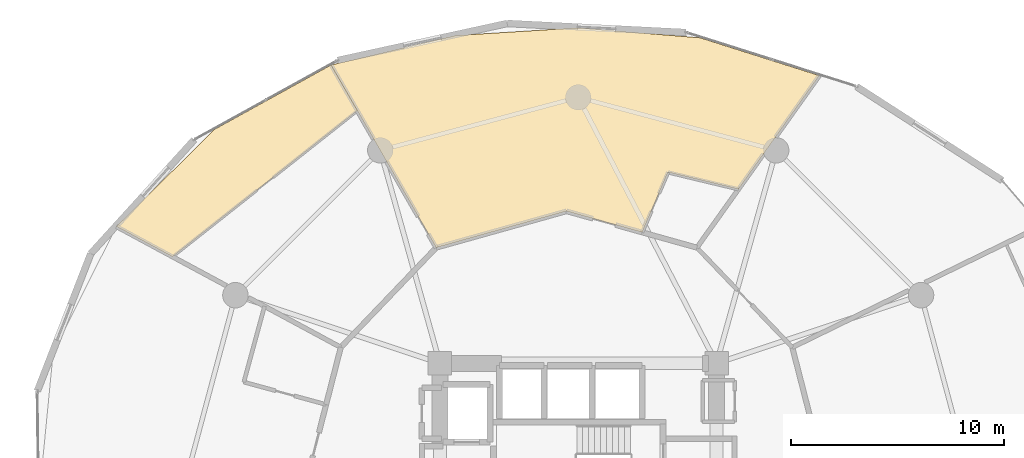
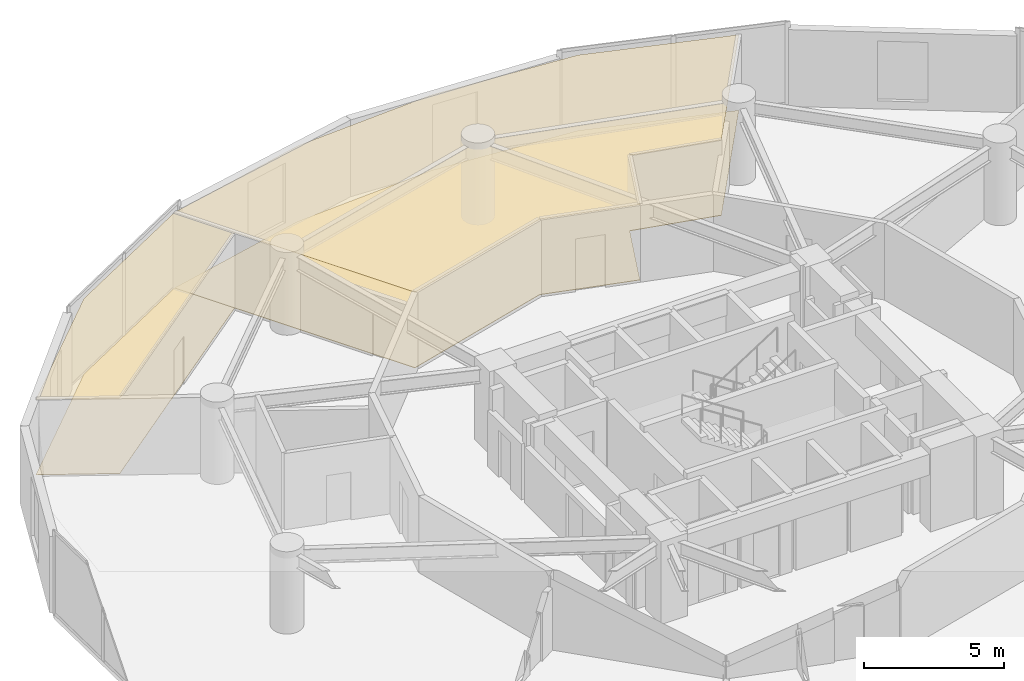
# One storey, part 23 of 23: 4 coverings.
"""IFC4 building model written with IfcOpenShell, lengths in metres."""

import ifcopenshell
import ifcopenshell.guid

model = None  # the IFC model being written
_history = None  # IfcOwnerHistory: only IFC2X3 demands one
_inside = {}  # id of a spatial element -> (the spatial element, [elements in it])
_under = {}  # id of a project, library or spatial element -> (it, [spatial elements below it])
_declared = {}  # id of a project -> (the project, [libraries it declares])
_typed = {}  # id of a type object -> (the type object, [elements of that type])
_made_of = {}  # id of a material, layer set ... -> (it, [elements and type objects made of it])


def new_model(schema):
    """Start an empty IFC model of exactly this schema.

    Asked for "IFC4X3", IfcOpenShell would pick the latest addendum, in which some entities
    have other attributes; the version numbers below select the first issue.
    IFC2X3 requires an IfcOwnerHistory on every rooted entity: one is made here for all.
    """
    global model, _history
    if schema == "IFC4X3":
        model = ifcopenshell.file(schema_version=(4, 3, 0, 0))
    else:
        model = ifcopenshell.file(schema=schema)
    _inside.clear()
    _under.clear()
    _declared.clear()
    _typed.clear()
    _made_of.clear()
    _history = None
    if model.schema == "IFC2X3":
        org = make("IfcOrganization", Name="unknown")
        user = make(
            "IfcPersonAndOrganization",
            ThePerson=make("IfcPerson", FamilyName="unknown"),
            TheOrganization=org,
        )
        app = make(
            "IfcApplication",
            ApplicationDeveloper=org,
            Version="unknown",
            ApplicationFullName="unknown",
            ApplicationIdentifier="unknown",
        )
        _history = make(
            "IfcOwnerHistory",
            OwningUser=user,
            OwningApplication=app,
            ChangeAction="ADDED",
            CreationDate=0,
        )
    return model


def make(cls, **values):
    """One entity of the class cls with the attributes given. An attribute that is None is left unset."""
    return model.create_entity(
        cls, **{name: value for name, value in values.items() if value is not None}
    )


def rooted(cls, **values):
    """An entity with a GlobalId (a new one), such as an element, a storey or a relation."""
    return make(cls, GlobalId=ifcopenshell.guid.new(), OwnerHistory=_history, **values)


def si_unit(unit_type, name, prefix=None):
    """IfcSIUnit, for example si_unit("LENGTHUNIT", "METRE", prefix="MILLI")."""
    return make("IfcSIUnit", UnitType=unit_type, Prefix=prefix, Name=name)


def assignment(units):
    """IfcUnitAssignment: the units of a project."""
    return None if units is None else make("IfcUnitAssignment", Units=units)


def point(xyz):
    """IfcCartesianPoint."""
    return None if xyz is None else make("IfcCartesianPoint", Coordinates=xyz)


def direction(xyz):
    """IfcDirection."""
    return None if xyz is None else make("IfcDirection", DirectionRatios=xyz)


def frame(location, z_axis=None, x_axis=None):
    """IfcAxis2Placement3D, a coordinate frame: its origin and axes. An axis left out is left unset."""
    return make(
        "IfcAxis2Placement3D",
        Location=point(location),
        Axis=direction(z_axis),
        RefDirection=direction(x_axis),
    )


def origin():
    """The frame at (0, 0, 0) with its axes left unset."""
    return frame((0.0, 0.0, 0.0))


def place(relative_to, where):
    """IfcLocalPlacement: puts the frame where relative to a parent placement (None: the world)."""
    return make(
        "IfcLocalPlacement", PlacementRelTo=relative_to, RelativePlacement=where
    )


def context(
    kind, dimensions, precision=None, world=None, true_north=None, identifier=None
):
    """IfcGeometricRepresentationContext, for example the 3D "Model" context."""
    return make(
        "IfcGeometricRepresentationContext",
        ContextIdentifier=identifier,
        ContextType=kind,
        CoordinateSpaceDimension=dimensions,
        Precision=precision,
        WorldCoordinateSystem=world,
        TrueNorth=true_north,
    )


def subcontext(parent, identifier, kind, view, scale=None):
    """IfcGeometricRepresentationSubContext, for example "Body" below "Model"."""
    return make(
        "IfcGeometricRepresentationSubContext",
        ContextIdentifier=identifier,
        ContextType=kind,
        ParentContext=parent,
        TargetScale=scale,
        TargetView=view,
    )


def project(units=None, contexts=None):
    """IfcProject with its units and contexts."""
    return rooted(
        "IfcProject",
        Name="project",
        RepresentationContexts=contexts,
        UnitsInContext=assignment(units),
    )


def spatial(cls, under=None, at=None, **own):
    """A site, building, storey or space (cls), placed at a placement, below another one or the project."""
    s = rooted(cls, ObjectPlacement=at, **own)
    if under is not None:
        _under.setdefault(under.id(), (under, []))[1].append(s)
    return s


def polyline(points):
    """IfcPolyline through the points."""
    return make("IfcPolyline", Points=[point(p) for p in points])


def outline(outer, holes=None, kind="AREA"):
    """IfcArbitraryClosedProfileDef: a profile drawn as a closed curve; with holes, ...WithVoids."""
    if holes is None:
        return make("IfcArbitraryClosedProfileDef", ProfileType=kind, OuterCurve=outer)
    return make(
        "IfcArbitraryProfileDefWithVoids",
        ProfileType=kind,
        OuterCurve=outer,
        InnerCurves=holes,
    )


def extrude(swept, where, along, depth):
    """IfcExtrudedAreaSolid: the profile swept, set in the frame where, extruded along a direction by depth."""
    return make(
        "IfcExtrudedAreaSolid",
        SweptArea=swept,
        Position=where,
        ExtrudedDirection=direction(along),
        Depth=depth,
    )


def shape(context_of_items, identifier, shape_type, items):
    """IfcShapeRepresentation: the items that make up one representation, for example the "Body"."""
    return make(
        "IfcShapeRepresentation",
        ContextOfItems=context_of_items,
        RepresentationIdentifier=identifier,
        RepresentationType=shape_type,
        Items=items,
    )


def material(Name=None, Category=None):
    """IfcMaterial."""
    return make("IfcMaterial", Name=Name, Category=Category)


def layer(
    of_material, thickness, ventilated=None, Name=None, Category=None, Priority=None
):
    """IfcMaterialLayer: one layer of a wall or slab, of a material (None: an air gap)."""
    return make(
        "IfcMaterialLayer",
        Material=of_material,
        LayerThickness=thickness,
        IsVentilated=ventilated,
        Name=Name,
        Category=Category,
        Priority=Priority,
    )


def layer_set(layers, Name=None):
    """IfcMaterialLayerSet."""
    return make("IfcMaterialLayerSet", MaterialLayers=layers, LayerSetName=Name)


def made_of(thing, what):
    """Note that an element or type object is made of a material, layer set ...; save() writes the relation."""
    if what is not None:
        _made_of.setdefault(what.id(), (what, []))[1].append(thing)
    return thing


def type_object(cls, material=None, **own):
    """A type object (cls), such as IfcWallType, which elements share."""
    return made_of(rooted(cls, **own), material)


def element(
    cls,
    number,
    at=None,
    inside=None,
    cuts=None,
    type_object=None,
    material=None,
    context=None,
    identifier="Body",
    shape_type=None,
    held_by="IfcProductDefinitionShape",
    body=None,
    shapes=None,
    **own,
):
    """One element of the class cls, such as IfcWall. Its Tag is "e" and its number.

    at: its placement. inside: the storey or other place that contains it. cuts: it is an
    opening in that element (IfcRelVoidsElement). A single representation is given by context,
    identifier, shape_type and body (its items); several are given by shapes. held_by: the class
    of the entity that holds the representations. save() writes the other relations.
    """
    e = rooted(cls, Tag="e%d" % number, ObjectPlacement=at, **own)
    if body is not None:
        shapes = [shape(context, identifier, shape_type, body)]
    if shapes is not None:
        e.Representation = make(held_by, Representations=shapes)
    if inside is not None:
        _inside.setdefault(inside.id(), (inside, []))[1].append(e)
    if cuts is not None:
        rooted(
            "IfcRelVoidsElement", RelatingBuildingElement=cuts, RelatedOpeningElement=e
        )
    if type_object is not None:
        _typed.setdefault(type_object.id(), (type_object, []))[1].append(e)
    return made_of(e, material)


def aggregate(whole, parts):
    """IfcRelAggregates: a whole, such as a stair, and the parts it consists of."""
    return rooted("IfcRelAggregates", RelatingObject=whole, RelatedObjects=parts)


def save(model, path):
    """Write the relations noted so far, then the file.

    IfcRelAggregates (storeys below a building ...), IfcRelContainedInSpatialStructure (elements
    in a storey), IfcRelDefinesByType, IfcRelAssociatesMaterial and IfcRelDeclares: one each for
    every whole, place, type object, material and project.
    """
    for whole, parts in _under.values():
        aggregate(whole, parts)
    for where, things in _inside.values():
        rooted(
            "IfcRelContainedInSpatialStructure",
            RelatedElements=things,
            RelatingStructure=where,
        )
    for kind, things in _typed.values():
        rooted("IfcRelDefinesByType", RelatedObjects=things, RelatingType=kind)
    for what, things in _made_of.values():
        rooted("IfcRelAssociatesMaterial", RelatedObjects=things, RelatingMaterial=what)
    for by, libraries in _declared.values():
        rooted("IfcRelDeclares", RelatingContext=by, RelatedDefinitions=libraries)
    model.write(path)


model = new_model("IFC4")

# Units and contexts
model_context = context("Model", 3, precision=1e-05, world=origin(), true_north=direction((0.0, 1.0)))
body_context = subcontext(model_context, "Body", "Model", "MODEL_VIEW")
ifc_project = project(units=[si_unit("LENGTHUNIT", "METRE"), si_unit("AREAUNIT", "SQUARE_METRE"), si_unit("VOLUMEUNIT", "CUBIC_METRE"), si_unit("PLANEANGLEUNIT", "RADIAN"), si_unit("MASSUNIT", "GRAM", prefix="KILO")], contexts=[model_context])

# Site, building, storey
site_placement = place(None, origin())
site = spatial("IfcSite", under=ifc_project, at=site_placement, CompositionType="ELEMENT")
building_placement = place(site_placement, origin())
building = spatial("IfcBuilding", under=site, at=building_placement, Name="Solvirekh Grand Hotel", CompositionType="ELEMENT")
storey_placement = place(building_placement, frame((0.0, 0.0, 46.39990234375)))
storey = spatial("IfcBuildingStorey", under=building, at=storey_placement, Name="L10", CompositionType="ELEMENT", Elevation=46.39990234375)

# Coverings
ifc_material_1 = material(Name="Acoustic Mineral Ceiling Tile")
ifc_layer_1 = layer(ifc_material_1, 0.02490234375)
ifc_layer_set_1 = layer_set([ifc_layer_1], Name="Acoustic Mineral Ceiling Tile")
covering_type_1 = type_object("IfcCoveringType", Name="Cov_Ceiling_Acoustic", PredefinedType="CEILING", material=ifc_layer_set_1)
covering_1_placement = place(storey_placement, frame((0.0, 0.0, 3.2900390625)))
element("IfcCovering", 1, at=covering_1_placement, inside=storey, type_object=covering_type_1, Name="L10 Diplomatic Suite 1201 Living Room acoustic ceiling", PredefinedType="CEILING", context=body_context, shape_type="SweptSolid", body=[
    extrude(outline(polyline([(4.216064453125, 15.080078125), (7.531005859375, 14.283935546875), (11.327880859375, 19.62109375), (5.73291015625, 21.39501953125), (0.0, 21.864990234375), (-5.761962890625, 21.50390625), (-11.614990234375, 20.117919921875), (-6.675048828125, 11.534912109375), (-0.550048828125, 13.25), (3.0029296875, 12.2548828125), (4.216064453125, 15.080078125)])), origin(), (0.0, 0.0, 1.0), 0.01806640625),
])
covering_2_placement = place(storey_placement, frame((0.0, 0.0, 3.2900390625)))
element("IfcCovering", 2, at=covering_2_placement, inside=storey, type_object=covering_type_1, Name="L10 Diplomatic Suite 1201 Master Bedroom acoustic ceiling", PredefinedType="CEILING", context=body_context, shape_type="SweptSolid", body=[
    extrude(outline(polyline([(-11.614990234375, 20.117919921875), (-17.092041015625, 17.092041015625), (-21.700927734375, 12.529052734375), (-19.06591796875, 11.10888671875), (-10.3798828125, 17.971923828125), (-11.614990234375, 20.117919921875)])), origin(), (0.0, 0.0, 1.0), 0.01806640625),
])
ifc_material_2 = material(Name="Porcelain Stoneware Flooring", Category="masonry")
ifc_layer_2 = layer(ifc_material_2, 0.030029296875)
ifc_layer_set_2 = layer_set([ifc_layer_2], Name="Porcelain Stoneware Flooring")
covering_type_2 = type_object("IfcCoveringType", Name="Cov_Floor_Stone", PredefinedType="FLOORING", material=ifc_layer_set_2)
covering_3_placement = place(storey_placement, origin())
element("IfcCovering", 3, at=covering_3_placement, inside=storey, type_object=covering_type_2, Name="L10 Diplomatic Suite 1201 Living Room polished granite flooring", PredefinedType="FLOORING", context=body_context, shape_type="SweptSolid", body=[
    extrude(outline(polyline([(4.216064453125, 15.080078125), (7.531005859375, 14.283935546875), (11.327880859375, 19.62109375), (5.73291015625, 21.39501953125), (0.0, 21.864990234375), (-5.761962890625, 21.50390625), (-11.614990234375, 20.117919921875), (-6.675048828125, 11.534912109375), (-0.550048828125, 13.25), (3.0029296875, 12.2548828125), (4.216064453125, 15.080078125)])), origin(), (0.0, 0.0, 1.0), 0.02001953125),
])
covering_4_placement = place(storey_placement, origin())
element("IfcCovering", 4, at=covering_4_placement, inside=storey, type_object=covering_type_2, Name="L10 Diplomatic Suite 1201 Master Bedroom polished granite flooring", PredefinedType="FLOORING", context=body_context, shape_type="SweptSolid", body=[
    extrude(outline(polyline([(-11.614990234375, 20.117919921875), (-17.092041015625, 17.092041015625), (-21.700927734375, 12.529052734375), (-19.06591796875, 11.10888671875), (-10.3798828125, 17.971923828125), (-11.614990234375, 20.117919921875)])), origin(), (0.0, 0.0, 1.0), 0.02001953125),
])

save(model, "model.ifc")
